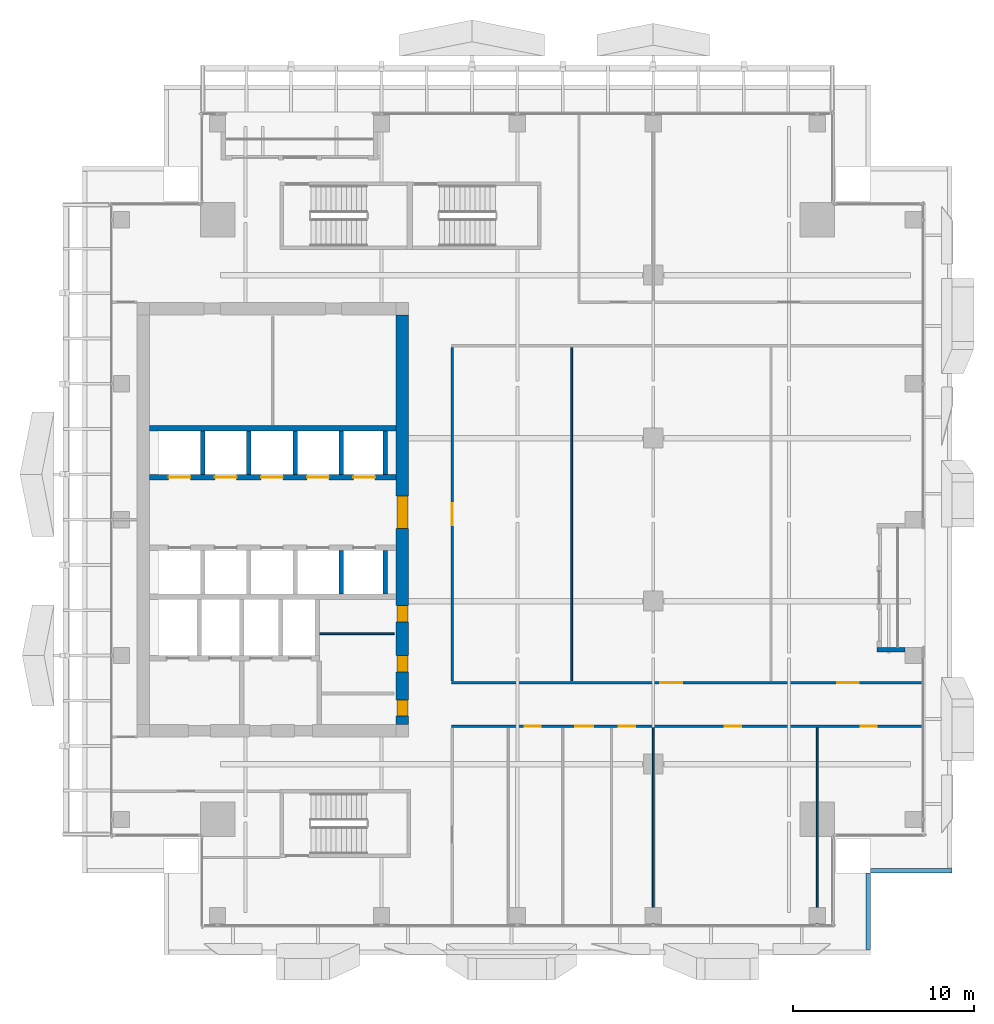
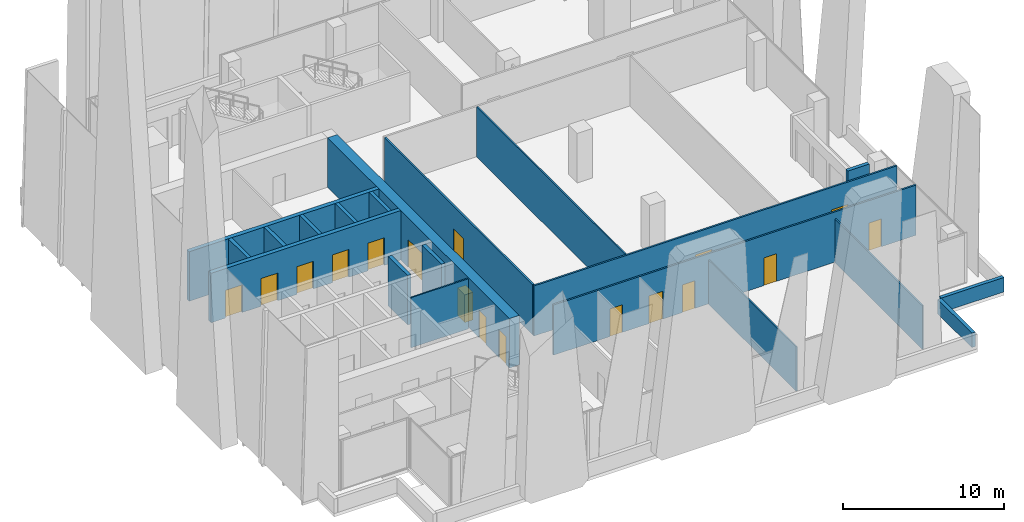
# One storey, part 27 of 33: 20 walls, 17 doors, 17 openings.
"""IFC4 building model written with IfcOpenShell, lengths in metres."""

import ifcopenshell
import ifcopenshell.guid

model = None  # the IFC model being written
_history = None  # IfcOwnerHistory: only IFC2X3 demands one
_inside = {}  # id of a spatial element -> (the spatial element, [elements in it])
_under = {}  # id of a project, library or spatial element -> (it, [spatial elements below it])
_declared = {}  # id of a project -> (the project, [libraries it declares])
_typed = {}  # id of a type object -> (the type object, [elements of that type])
_made_of = {}  # id of a material, layer set ... -> (it, [elements and type objects made of it])


def new_model(schema):
    """Start an empty IFC model of exactly this schema.

    Asked for "IFC4X3", IfcOpenShell would pick the latest addendum, in which some entities
    have other attributes; the version numbers below select the first issue.
    IFC2X3 requires an IfcOwnerHistory on every rooted entity: one is made here for all.
    """
    global model, _history
    if schema == "IFC4X3":
        model = ifcopenshell.file(schema_version=(4, 3, 0, 0))
    else:
        model = ifcopenshell.file(schema=schema)
    _inside.clear()
    _under.clear()
    _declared.clear()
    _typed.clear()
    _made_of.clear()
    _history = None
    if model.schema == "IFC2X3":
        org = make("IfcOrganization", Name="unknown")
        user = make(
            "IfcPersonAndOrganization",
            ThePerson=make("IfcPerson", FamilyName="unknown"),
            TheOrganization=org,
        )
        app = make(
            "IfcApplication",
            ApplicationDeveloper=org,
            Version="unknown",
            ApplicationFullName="unknown",
            ApplicationIdentifier="unknown",
        )
        _history = make(
            "IfcOwnerHistory",
            OwningUser=user,
            OwningApplication=app,
            ChangeAction="ADDED",
            CreationDate=0,
        )
    return model


def make(cls, **values):
    """One entity of the class cls with the attributes given. An attribute that is None is left unset."""
    return model.create_entity(
        cls, **{name: value for name, value in values.items() if value is not None}
    )


def rooted(cls, **values):
    """An entity with a GlobalId (a new one), such as an element, a storey or a relation."""
    return make(cls, GlobalId=ifcopenshell.guid.new(), OwnerHistory=_history, **values)


def si_unit(unit_type, name, prefix=None):
    """IfcSIUnit, for example si_unit("LENGTHUNIT", "METRE", prefix="MILLI")."""
    return make("IfcSIUnit", UnitType=unit_type, Prefix=prefix, Name=name)


def assignment(units):
    """IfcUnitAssignment: the units of a project."""
    return None if units is None else make("IfcUnitAssignment", Units=units)


def point(xyz):
    """IfcCartesianPoint."""
    return None if xyz is None else make("IfcCartesianPoint", Coordinates=xyz)


def direction(xyz):
    """IfcDirection."""
    return None if xyz is None else make("IfcDirection", DirectionRatios=xyz)


def frame(location, z_axis=None, x_axis=None):
    """IfcAxis2Placement3D, a coordinate frame: its origin and axes. An axis left out is left unset."""
    return make(
        "IfcAxis2Placement3D",
        Location=point(location),
        Axis=direction(z_axis),
        RefDirection=direction(x_axis),
    )


def frame_2d(location, x_axis=None):
    """IfcAxis2Placement2D, a coordinate frame in the plane: its origin and x axis."""
    return make(
        "IfcAxis2Placement2D", Location=point(location), RefDirection=direction(x_axis)
    )


def origin():
    """The frame at (0, 0, 0) with its axes left unset."""
    return frame((0.0, 0.0, 0.0))


def place(relative_to, where):
    """IfcLocalPlacement: puts the frame where relative to a parent placement (None: the world)."""
    return make(
        "IfcLocalPlacement", PlacementRelTo=relative_to, RelativePlacement=where
    )


def context(
    kind, dimensions, precision=None, world=None, true_north=None, identifier=None
):
    """IfcGeometricRepresentationContext, for example the 3D "Model" context."""
    return make(
        "IfcGeometricRepresentationContext",
        ContextIdentifier=identifier,
        ContextType=kind,
        CoordinateSpaceDimension=dimensions,
        Precision=precision,
        WorldCoordinateSystem=world,
        TrueNorth=true_north,
    )


def subcontext(parent, identifier, kind, view, scale=None):
    """IfcGeometricRepresentationSubContext, for example "Body" below "Model"."""
    return make(
        "IfcGeometricRepresentationSubContext",
        ContextIdentifier=identifier,
        ContextType=kind,
        ParentContext=parent,
        TargetScale=scale,
        TargetView=view,
    )


def project(units=None, contexts=None):
    """IfcProject with its units and contexts."""
    return rooted(
        "IfcProject",
        Name="project",
        RepresentationContexts=contexts,
        UnitsInContext=assignment(units),
    )


def spatial(cls, under=None, at=None, **own):
    """A site, building, storey or space (cls), placed at a placement, below another one or the project."""
    s = rooted(cls, ObjectPlacement=at, **own)
    if under is not None:
        _under.setdefault(under.id(), (under, []))[1].append(s)
    return s


def profile(cls, at=None, kind="AREA", **sizes):
    """A parametric profile (cls). Its sizes go by their IFC names, for example OverallWidth=200.0."""
    return make(cls, ProfileType=kind, Position=at, **sizes)


def rectangle(**sizes):
    """IfcRectangleProfileDef."""
    return profile("IfcRectangleProfileDef", **sizes)


def extrude(swept, where, along, depth):
    """IfcExtrudedAreaSolid: the profile swept, set in the frame where, extruded along a direction by depth."""
    return make(
        "IfcExtrudedAreaSolid",
        SweptArea=swept,
        Position=where,
        ExtrudedDirection=direction(along),
        Depth=depth,
    )


def shape(context_of_items, identifier, shape_type, items):
    """IfcShapeRepresentation: the items that make up one representation, for example the "Body"."""
    return make(
        "IfcShapeRepresentation",
        ContextOfItems=context_of_items,
        RepresentationIdentifier=identifier,
        RepresentationType=shape_type,
        Items=items,
    )


def source(mapping_origin, context_of_items, identifier, shape_type, items):
    """IfcRepresentationMap: a shape defined once, which mapped items show again and again."""
    return make(
        "IfcRepresentationMap",
        MappingOrigin=mapping_origin,
        MappedRepresentation=shape(context_of_items, identifier, shape_type, items),
    )


def transform(
    local_origin,
    x_axis=None,
    y_axis=None,
    z_axis=None,
    scale=None,
    scale2=None,
    scale3=None,
    uniform=True,
):
    """IfcCartesianTransformationOperator3D, or its non-uniform kind. x_axis, y_axis, z_axis: its Axis1, 2, 3."""
    if uniform:
        return make(
            "IfcCartesianTransformationOperator3D",
            Axis1=direction(x_axis),
            Axis2=direction(y_axis),
            LocalOrigin=point(local_origin),
            Scale=scale,
            Axis3=direction(z_axis),
        )
    return make(
        "IfcCartesianTransformationOperator3DnonUniform",
        Axis1=direction(x_axis),
        Axis2=direction(y_axis),
        LocalOrigin=point(local_origin),
        Scale=scale,
        Axis3=direction(z_axis),
        Scale2=scale2,
        Scale3=scale3,
    )


def mapped(mapping_source, mapping_target):
    """IfcMappedItem: shows the shape of a source again, moved by a transform."""
    return make(
        "IfcMappedItem", MappingSource=mapping_source, MappingTarget=mapping_target
    )


def material(Name=None, Category=None):
    """IfcMaterial."""
    return make("IfcMaterial", Name=Name, Category=Category)


def layer(
    of_material, thickness, ventilated=None, Name=None, Category=None, Priority=None
):
    """IfcMaterialLayer: one layer of a wall or slab, of a material (None: an air gap)."""
    return make(
        "IfcMaterialLayer",
        Material=of_material,
        LayerThickness=thickness,
        IsVentilated=ventilated,
        Name=Name,
        Category=Category,
        Priority=Priority,
    )


def layer_set(layers, Name=None):
    """IfcMaterialLayerSet."""
    return make("IfcMaterialLayerSet", MaterialLayers=layers, LayerSetName=Name)


def made_of(thing, what):
    """Note that an element or type object is made of a material, layer set ...; save() writes the relation."""
    if what is not None:
        _made_of.setdefault(what.id(), (what, []))[1].append(thing)
    return thing


def type_object(cls, material=None, **own):
    """A type object (cls), such as IfcWallType, which elements share."""
    return made_of(rooted(cls, **own), material)


def element(
    cls,
    number,
    at=None,
    inside=None,
    cuts=None,
    type_object=None,
    material=None,
    context=None,
    identifier="Body",
    shape_type=None,
    held_by="IfcProductDefinitionShape",
    body=None,
    shapes=None,
    **own,
):
    """One element of the class cls, such as IfcWall. Its Tag is "e" and its number.

    at: its placement. inside: the storey or other place that contains it. cuts: it is an
    opening in that element (IfcRelVoidsElement). A single representation is given by context,
    identifier, shape_type and body (its items); several are given by shapes. held_by: the class
    of the entity that holds the representations. save() writes the other relations.
    """
    e = rooted(cls, Tag="e%d" % number, ObjectPlacement=at, **own)
    if body is not None:
        shapes = [shape(context, identifier, shape_type, body)]
    if shapes is not None:
        e.Representation = make(held_by, Representations=shapes)
    if inside is not None:
        _inside.setdefault(inside.id(), (inside, []))[1].append(e)
    if cuts is not None:
        rooted(
            "IfcRelVoidsElement", RelatingBuildingElement=cuts, RelatedOpeningElement=e
        )
    if type_object is not None:
        _typed.setdefault(type_object.id(), (type_object, []))[1].append(e)
    return made_of(e, material)


def fill(opening, filler):
    """IfcRelFillsElement: the door or window that sits in an opening."""
    return rooted(
        "IfcRelFillsElement",
        RelatingOpeningElement=opening,
        RelatedBuildingElement=filler,
    )


def aggregate(whole, parts):
    """IfcRelAggregates: a whole, such as a stair, and the parts it consists of."""
    return rooted("IfcRelAggregates", RelatingObject=whole, RelatedObjects=parts)


def save(model, path):
    """Write the relations noted so far, then the file.

    IfcRelAggregates (storeys below a building ...), IfcRelContainedInSpatialStructure (elements
    in a storey), IfcRelDefinesByType, IfcRelAssociatesMaterial and IfcRelDeclares: one each for
    every whole, place, type object, material and project.
    """
    for whole, parts in _under.values():
        aggregate(whole, parts)
    for where, things in _inside.values():
        rooted(
            "IfcRelContainedInSpatialStructure",
            RelatedElements=things,
            RelatingStructure=where,
        )
    for kind, things in _typed.values():
        rooted("IfcRelDefinesByType", RelatedObjects=things, RelatingType=kind)
    for what, things in _made_of.values():
        rooted("IfcRelAssociatesMaterial", RelatedObjects=things, RelatingMaterial=what)
    for by, libraries in _declared.values():
        rooted("IfcRelDeclares", RelatingContext=by, RelatedDefinitions=libraries)
    model.write(path)


model = new_model("IFC4")

# Units and contexts
model_context = context("Model", 3, precision=1e-05, world=origin(), true_north=direction((0.0, 1.0)))
body_context = subcontext(model_context, "Body", "Model", "MODEL_VIEW")
ifc_project = project(units=[si_unit("LENGTHUNIT", "METRE"), si_unit("AREAUNIT", "SQUARE_METRE"), si_unit("VOLUMEUNIT", "CUBIC_METRE"), si_unit("PLANEANGLEUNIT", "RADIAN"), si_unit("MASSUNIT", "GRAM", prefix="KILO")], contexts=[model_context])

# Site, building, storey
site_placement = place(None, origin())
site = spatial("IfcSite", under=ifc_project, at=site_placement, CompositionType="ELEMENT")
building_placement = place(site_placement, origin())
building = spatial("IfcBuilding", under=site, at=building_placement, Name="Khomas Fold Tower", CompositionType="ELEMENT")
storey_placement = place(building_placement, frame((0.0, 0.0, 222.199951171875)))
storey = spatial("IfcBuildingStorey", under=building, at=storey_placement, Name="L49", CompositionType="ELEMENT", Elevation=222.199951171875)

# Walls
ifc_material_1 = material(Name="Concrete C50/60", Category="concrete")
ifc_layer_1 = layer(ifc_material_1, 0.25)
ifc_layer_set_1 = layer_set([ifc_layer_1], Name="Concrete C50/60")
wall_type_1 = type_object("IfcWallType", Name="Shaft wall 250", PredefinedType="STANDARD", material=ifc_layer_set_1)
shared_shape_1 = source(origin(), body_context, "Body", "SweptSolid", [
    extrude(rectangle(XDim=2.39990234375, YDim=0.25, at=frame_2d((1.199951171875, 0.0))), origin(), (0.0, 0.0, 1.0), 3.75),
])
for number, where, z_axis, x_axis, name in (
    (1, (17.27490234375, 29.5, 0.0), (0.0, 0.0, 1.0), (0.0, 1.0, 0.0), "Core wall SW-HRN-MR-P1"),
    (2, (19.699951171875, 29.5, 0.0), (0.0, 0.0, 1.0), (0.0, 1.0, 0.0), "Core wall SW-HRN-MR-PE"),
    (3, (9.625, 29.5, 0.0), (0.0, 0.0, 1.0), (0.0, 1.0, 0.0), "Core wall SW-HRN-P1"),
    (4, (12.175048828125, 29.5, 0.0), (0.0, 0.0, 1.0), (0.0, 1.0, 0.0), "Core wall SW-HRN-P2"),
    (5, (14.72509765625, 29.5, 0.0), (0.0, 0.0, 1.0), (0.0, 1.0, 0.0), "Core wall SW-HRN-PE"),
):
    element("IfcWall", number, at=place(storey_placement, frame(where, z_axis=z_axis, x_axis=x_axis)), inside=storey, type_object=wall_type_1, Name=name, PredefinedType="STANDARD", context=body_context, shape_type="MappedRepresentation", body=[
        mapped(shared_shape_1, transform((0.0, 0.0, 0.0))),
    ])
shared_shape_2 = source(origin(), body_context, "Body", "SweptSolid", [
    extrude(rectangle(XDim=2.400146484375, YDim=0.25, at=frame_2d((1.2001953125, 0.0))), origin(), (0.0, 0.0, 1.0), 3.75),
])
for number, where, z_axis, x_axis, name in (
    (6, (17.27490234375, 22.89990234375, 0.0), (0.0, 0.0, 1.0), (0.0, 1.0, 0.0), "Core wall SW-HRS-MR-P1"),
    (7, (19.699951171875, 22.89990234375, 0.0), (0.0, 0.0, 1.0), (0.0, 1.0, 0.0), "Core wall SW-HRS-MR-PE"),
):
    element("IfcWall", number, at=place(storey_placement, frame(where, z_axis=z_axis, x_axis=x_axis)), inside=storey, type_object=wall_type_1, Name=name, PredefinedType="STANDARD", context=body_context, shape_type="MappedRepresentation", body=[
        mapped(shared_shape_2, transform((0.0, 0.0, 0.0))),
    ])

# Wall, openings, doors
ifc_material_2 = material(Name="Concrete C60/75", Category="concrete")
ifc_layer_2 = layer(ifc_material_2, 0.699951171875)
ifc_layer_set_2 = layer_set([ifc_layer_2], Name="Concrete C60/75")
wall_type_2 = type_object("IfcWallType", Name="Core wall 700", PredefinedType="SHEAR", material=ifc_layer_set_2)
shared_shape_3 = source(origin(), body_context, "Body", "SweptSolid", [
    extrude(rectangle(XDim=22.60009765625, YDim=0.699951171875, at=frame_2d((11.300048828125, 0.0))), origin(), (0.0, 0.0, 1.0), 3.75),
])
wall_1_placement = place(storey_placement, frame((20.64990234375, 15.699951171875, 0.0), z_axis=(0.0, 0.0, 1.0), x_axis=(0.0, 1.0, 0.0)))
wall_1 = element("IfcWall", 8, at=wall_1_placement, inside=storey, type_object=wall_type_2, Name="Core wall CW-U-E-L49", PredefinedType="SHEAR", context=body_context, shape_type="MappedRepresentation", body=[
    mapped(shared_shape_3, transform((0.0, 0.0, 0.0))),
])
shared_shape_4 = source(origin(), body_context, "Body", "SweptSolid", [
    extrude(rectangle(XDim=1.800048828125, YDim=2.10009765625, at=frame_2d((0.89990234375, 1.050048828125))), frame((0.0, 0.35986328125, 0.0), z_axis=(0.0, -1.0, 0.0), x_axis=(1.0, 0.0, 0.0)), (0.0, 0.0, 1.0), 0.719970703125),
])
opening_1_placement = place(wall_1_placement, frame((10.800048828125, 0.0, 0.0)))
opening_1 = element("IfcOpeningElement", 9, at=opening_1_placement, cuts=wall_1, Name="Opening 0015", PredefinedType="OPENING", context=body_context, shape_type="MappedRepresentation", body=[
    mapped(shared_shape_4, transform((0.0, 0.0, 0.0))),
])
shared_shape_5 = source(origin(), body_context, "Body", "SweptSolid", [
    extrude(rectangle(XDim=0.89990234375, YDim=2.10009765625, at=frame_2d((0.449951171875, 1.050048828125))), frame((0.0, 0.35986328125, 0.0), z_axis=(0.0, -1.0, 0.0), x_axis=(1.0, 0.0, 0.0)), (0.0, 0.0, 1.0), 0.719970703125),
])
opening_2_placement = place(wall_1_placement, frame((0.449951171875, 0.0, 0.0)))
opening_2 = element("IfcOpeningElement", 10, at=opening_2_placement, cuts=wall_1, Name="Opening 0003", PredefinedType="OPENING", context=body_context, shape_type="MappedRepresentation", body=[
    mapped(shared_shape_5, transform((0.0, 0.0, 0.0))),
])
opening_3_placement = place(wall_1_placement, frame((2.89990234375, 0.0, 0.0)))
opening_3 = element("IfcOpeningElement", 11, at=opening_3_placement, cuts=wall_1, Name="Opening 0008", PredefinedType="OPENING", context=body_context, shape_type="MappedRepresentation", body=[
    mapped(shared_shape_5, transform((0.0, 0.0, 0.0))),
])
opening_4_placement = place(wall_1_placement, frame((5.64990234375, 0.0, 0.0)))
opening_4 = element("IfcOpeningElement", 12, at=opening_4_placement, cuts=wall_1, Name="Opening 0008", PredefinedType="OPENING", context=body_context, shape_type="MappedRepresentation", body=[
    mapped(shared_shape_5, transform((0.0, 0.0, 0.0))),
])
ifc_material_3 = material(Name="Steel door leaf", Category="steel")
door_type_1 = type_object("IfcDoorType", Name="Lobby door 1800x2100", OperationType="DOUBLE_DOOR_SINGLE_SWING", PredefinedType="DOOR", material=ifc_material_3)
shared_shape_6 = source(origin(), body_context, "Body", "SweptSolid", [
    extrude(rectangle(XDim=1.800048828125, YDim=2.10009765625, at=frame_2d((0.89990234375, 1.050048828125))), frame((0.0, 0.2998046875, 0.0), z_axis=(0.0, -1.0, 0.0), x_axis=(1.0, 0.0, 0.0)), (0.0, 0.0, 1.0), 0.599853515625),
])
door_1_placement = place(opening_1_placement, origin())
door_1 = element("IfcDoor", 13, at=door_1_placement, inside=storey, type_object=door_type_1, Name="Lobby door", OperationType="DOUBLE_DOOR_SINGLE_SWING", OverallHeight=2.10009765625, OverallWidth=1.800048828125, PredefinedType="DOOR", context=body_context, shape_type="MappedRepresentation", body=[
    mapped(shared_shape_6, transform((0.0, 0.0, 0.0))),
])
fill(opening_1, door_1)
ifc_material_4 = material(Name="Steel door leaf", Category="steel")
door_type_2 = type_object("IfcDoorType", Name="Plant room door 900x2100 right-hand", OperationType="SINGLE_SWING_RIGHT", PredefinedType="DOOR", material=ifc_material_4)
shared_shape_7 = source(origin(), body_context, "Body", "SweptSolid", [
    extrude(rectangle(XDim=0.89990234375, YDim=2.10009765625, at=frame_2d((0.449951171875, 1.050048828125))), frame((0.0, 0.2998046875, 0.0), z_axis=(0.0, -1.0, 0.0), x_axis=(1.0, 0.0, 0.0)), (0.0, 0.0, 1.0), 0.599853515625),
])
door_2_placement = place(opening_2_placement, origin())
door_2 = element("IfcDoor", 14, at=door_2_placement, inside=storey, type_object=door_type_2, Name="Plant room door", OperationType="SINGLE_SWING_RIGHT", OverallHeight=2.10009765625, OverallWidth=0.89990234375, PredefinedType="DOOR", context=body_context, shape_type="MappedRepresentation", body=[
    mapped(shared_shape_7, transform((0.0, 0.0, 0.0))),
])
fill(opening_2, door_2)
ifc_material_5 = material(Name="Timber door leaf", Category="wood")
door_type_3 = type_object("IfcDoorType", Name="Door 900x2100 right-hand", OperationType="SINGLE_SWING_RIGHT", PredefinedType="DOOR", material=ifc_material_5)
door_3_placement = place(opening_3_placement, origin())
door_3 = element("IfcDoor", 15, at=door_3_placement, inside=storey, type_object=door_type_3, Name="Door", OperationType="SINGLE_SWING_RIGHT", OverallHeight=2.10009765625, OverallWidth=0.89990234375, PredefinedType="DOOR", context=body_context, shape_type="MappedRepresentation", body=[
    mapped(shared_shape_7, transform((0.0, 0.0, 0.0))),
])
fill(opening_3, door_3)
door_4_placement = place(opening_4_placement, origin())
door_4 = element("IfcDoor", 16, at=door_4_placement, inside=storey, type_object=door_type_3, Name="Door", OperationType="SINGLE_SWING_RIGHT", OverallHeight=2.10009765625, OverallWidth=0.89990234375, PredefinedType="DOOR", context=body_context, shape_type="MappedRepresentation", body=[
    mapped(shared_shape_7, transform((0.0, 0.0, 0.0))),
])
fill(opening_4, door_4)

# Wall
ifc_material_6 = material(Name="Concrete C50/60", Category="concrete")
ifc_layer_3 = layer(ifc_material_6, 0.300048828125)
ifc_layer_set_3 = layer_set([ifc_layer_3], Name="Concrete C50/60")
wall_type_3 = type_object("IfcWallType", Name="Shaft wall 300", PredefinedType="STANDARD", material=ifc_layer_set_3)
shared_shape_8 = source(origin(), body_context, "Body", "SweptSolid", [
    extrude(rectangle(XDim=13.60009765625, YDim=0.300048828125, at=frame_2d((6.800048828125, 0.0))), origin(), (0.0, 0.0, 1.0), 3.75),
])
wall_2_placement = place(storey_placement, frame((6.699951171875, 32.050048828125, 0.0), z_axis=(0.0, 0.0, 1.0), x_axis=(1.0, 0.0, 0.0)))
element("IfcWall", 17, at=wall_2_placement, inside=storey, type_object=wall_type_3, Name="Core wall SW-HRN-B", PredefinedType="STANDARD", context=body_context, shape_type="MappedRepresentation", body=[
    mapped(shared_shape_8, transform((0.0, 0.0, 0.0))),
])

# Wall, openings, doors
wall_3_placement = place(storey_placement, frame((6.699951171875, 29.35009765625, 0.0), z_axis=(0.0, 0.0, 1.0), x_axis=(1.0, 0.0, 0.0)))
wall_3 = element("IfcWall", 18, at=wall_3_placement, inside=storey, type_object=wall_type_3, Name="Core wall SW-HRN-F", PredefinedType="STANDARD", context=body_context, shape_type="MappedRepresentation", body=[
    mapped(shared_shape_8, transform((0.0, 0.0, 0.0))),
])
shared_shape_9 = source(origin(), body_context, "Body", "SweptSolid", [
    extrude(rectangle(XDim=1.199951171875, YDim=2.10009765625, at=frame_2d((0.60009765625, 1.050048828125))), frame((0.0, 0.159912109375, 0.0), z_axis=(0.0, -1.0, 0.0), x_axis=(1.0, 0.0, 0.0)), (0.0, 0.0, 1.0), 0.320068359375),
])
opening_5_placement = place(wall_3_placement, frame((1.050048828125, 0.0, 0.0)))
opening_5 = element("IfcOpeningElement", 19, at=opening_5_placement, cuts=wall_3, Name="Opening LD-HR4", PredefinedType="OPENING", context=body_context, shape_type="MappedRepresentation", body=[
    mapped(shared_shape_9, transform((0.0, 0.0, 0.0))),
])
opening_6_placement = place(wall_3_placement, frame((3.60009765625, 0.0, 0.0)))
opening_6 = element("IfcOpeningElement", 20, at=opening_6_placement, cuts=wall_3, Name="Opening LD-HR5", PredefinedType="OPENING", context=body_context, shape_type="MappedRepresentation", body=[
    mapped(shared_shape_9, transform((0.0, 0.0, 0.0))),
])
opening_7_placement = place(wall_3_placement, frame((6.14990234375, 0.0, 0.0)))
opening_7 = element("IfcOpeningElement", 21, at=opening_7_placement, cuts=wall_3, Name="Opening LD-HR6", PredefinedType="OPENING", context=body_context, shape_type="MappedRepresentation", body=[
    mapped(shared_shape_9, transform((0.0, 0.0, 0.0))),
])
opening_8_placement = place(wall_3_placement, frame((8.699951171875, 0.0, 0.0)))
opening_8 = element("IfcOpeningElement", 22, at=opening_8_placement, cuts=wall_3, Name="Opening LD-MR3", PredefinedType="OPENING", context=body_context, shape_type="MappedRepresentation", body=[
    mapped(shared_shape_9, transform((0.0, 0.0, 0.0))),
])
opening_9_placement = place(wall_3_placement, frame((11.25, 0.0, 0.0)))
opening_9 = element("IfcOpeningElement", 23, at=opening_9_placement, cuts=wall_3, Name="Opening LD-MR4", PredefinedType="OPENING", context=body_context, shape_type="MappedRepresentation", body=[
    mapped(shared_shape_9, transform((0.0, 0.0, 0.0))),
])
ifc_material_7 = material(Name="Steel door leaf", Category="steel")
door_type_4 = type_object("IfcDoorType", Name="Landing door 1200x2100", OperationType="DOUBLE_DOOR_SLIDING", PredefinedType="DOOR", material=ifc_material_7)
shared_shape_10 = source(origin(), body_context, "Body", "SweptSolid", [
    extrude(rectangle(XDim=1.199951171875, YDim=2.10009765625, at=frame_2d((0.60009765625, 1.050048828125))), frame((0.0, 0.02490234375, 0.0), z_axis=(0.0, -1.0, 0.0), x_axis=(1.0, 0.0, 0.0)), (0.0, 0.0, 1.0), 0.050048828125),
])
door_5_placement = place(opening_5_placement, origin())
door_5 = element("IfcDoor", 24, at=door_5_placement, inside=storey, type_object=door_type_4, Name="Lift landing door", OperationType="DOUBLE_DOOR_SLIDING", OverallHeight=2.10009765625, OverallWidth=1.199951171875, PredefinedType="DOOR", context=body_context, shape_type="MappedRepresentation", body=[
    mapped(shared_shape_10, transform((0.0, 0.0, 0.0))),
])
fill(opening_5, door_5)
door_6_placement = place(opening_6_placement, origin())
door_6 = element("IfcDoor", 25, at=door_6_placement, inside=storey, type_object=door_type_4, Name="Lift landing door", OperationType="DOUBLE_DOOR_SLIDING", OverallHeight=2.10009765625, OverallWidth=1.199951171875, PredefinedType="DOOR", context=body_context, shape_type="MappedRepresentation", body=[
    mapped(shared_shape_10, transform((0.0, 0.0, 0.0))),
])
fill(opening_6, door_6)
door_7_placement = place(opening_7_placement, origin())
door_7 = element("IfcDoor", 26, at=door_7_placement, inside=storey, type_object=door_type_4, Name="Lift landing door", OperationType="DOUBLE_DOOR_SLIDING", OverallHeight=2.10009765625, OverallWidth=1.199951171875, PredefinedType="DOOR", context=body_context, shape_type="MappedRepresentation", body=[
    mapped(shared_shape_10, transform((0.0, 0.0, 0.0))),
])
fill(opening_7, door_7)
door_8_placement = place(opening_8_placement, origin())
door_8 = element("IfcDoor", 27, at=door_8_placement, inside=storey, type_object=door_type_4, Name="Lift landing door", OperationType="DOUBLE_DOOR_SLIDING", OverallHeight=2.10009765625, OverallWidth=1.199951171875, PredefinedType="DOOR", context=body_context, shape_type="MappedRepresentation", body=[
    mapped(shared_shape_10, transform((0.0, 0.0, 0.0))),
])
fill(opening_8, door_8)
door_9_placement = place(opening_9_placement, origin())
door_9 = element("IfcDoor", 28, at=door_9_placement, inside=storey, type_object=door_type_4, Name="Lift landing door", OperationType="DOUBLE_DOOR_SLIDING", OverallHeight=2.10009765625, OverallWidth=1.199951171875, PredefinedType="DOOR", context=body_context, shape_type="MappedRepresentation", body=[
    mapped(shared_shape_10, transform((0.0, 0.0, 0.0))),
])
fill(opening_9, door_9)

# Walls
ifc_material_8 = material(Name="Natural stone", Category="masonry")
ifc_layer_4 = layer(ifc_material_8, 0.0400390625)
ifc_material_9 = material(Name="Mineral wool insulation", Category="insulation")
ifc_layer_5 = layer(ifc_material_9, 0.10009765625)
ifc_material_10 = material(Name="Masonry", Category="masonry")
ifc_layer_6 = layer(ifc_material_10, 0.110107421875)
ifc_layer_set_4 = layer_set([ifc_layer_4, ifc_layer_5, ifc_layer_6], Name="Stone-faced insulated masonry")
wall_type_4 = type_object("IfcWallType", Name="BL-Balcony wall", PredefinedType="SOLIDWALL", material=ifc_layer_set_4)
shared_shape_11 = source(origin(), body_context, "Body", "SweptSolid", [
    extrude(rectangle(XDim=1.5498046875, YDim=0.25, at=frame_2d((0.77490234375, 0.0))), origin(), (0.0, 0.0, 1.0), 3.199951171875),
])
wall_4_placement = place(storey_placement, frame((48.39990234375, 19.824951171875, 0.0), z_axis=(0.0, 0.0, 1.0), x_axis=(-1.0, 0.0, 0.0)))
element("IfcWall", 29, at=wall_4_placement, inside=storey, type_object=wall_type_4, Name="Balcony return wall BAL-L49-E2-lo", PredefinedType="SOLIDWALL", context=body_context, shape_type="MappedRepresentation", body=[
    mapped(shared_shape_11, transform((0.0, 0.0, 0.0))),
])
ifc_material_11 = material(Name="Concrete C40/50", Category="concrete")
ifc_layer_7 = layer(ifc_material_11, 0.25)
ifc_layer_set_5 = layer_set([ifc_layer_7], Name="Concrete C40/50")
wall_type_5 = type_object("IfcWallType", Name="Setback roof parapet 250", PredefinedType="PARAPET", material=ifc_layer_set_5)
shared_shape_12 = source(origin(), body_context, "Body", "SweptSolid", [
    extrude(rectangle(XDim=4.5, YDim=0.25, at=frame_2d((2.25, 0.0))), origin(), (0.0, 0.0, 1.0), 1.10009765625),
])
wall_5_placement = place(storey_placement, frame((46.5, 7.625, 0.0), z_axis=(0.0, 0.0, 1.0), x_axis=(1.0, 0.0, 0.0)))
element("IfcWall", 30, at=wall_5_placement, inside=storey, type_object=wall_type_5, Name="Setback roof parapet", PredefinedType="SOLIDWALL", context=body_context, shape_type="MappedRepresentation", body=[
    mapped(shared_shape_12, transform((0.0, 0.0, 0.0))),
])
shared_shape_13 = source(origin(), body_context, "Body", "SweptSolid", [
    extrude(rectangle(XDim=4.22998046875, YDim=0.25, at=frame_2d((2.114990234375, 0.0))), origin(), (0.0, 0.0, 1.0), 1.10009765625),
])
wall_6_placement = place(storey_placement, frame((46.375, 3.27001953125, 0.0), z_axis=(0.0, 0.0, 1.0), x_axis=(0.0, 1.0, 0.0)))
element("IfcWall", 31, at=wall_6_placement, inside=storey, type_object=wall_type_5, Name="Setback roof parapet", PredefinedType="SOLIDWALL", context=body_context, shape_type="MappedRepresentation", body=[
    mapped(shared_shape_13, transform((0.0, 0.0, 0.0))),
])
ifc_material_12 = material(Name="Plasterboard partition")
ifc_layer_8 = layer(ifc_material_12, 0.10009765625)
ifc_layer_set_6 = layer_set([ifc_layer_8], Name="Plasterboard partition")
wall_type_6 = type_object("IfcWallType", Name="Partition PW1 100", PredefinedType="PARTITIONING", material=ifc_layer_set_6)
shared_shape_14 = source(origin(), body_context, "Body", "SweptSolid", [
    extrude(rectangle(XDim=4.099853515625, YDim=0.10009765625, at=frame_2d((2.0498046875, 0.0))), origin(), (0.0, 0.0, 1.0), 3.800048828125),
])
wall_7_placement = place(storey_placement, frame((16.10009765625, 20.699951171875, 0.0), z_axis=(0.0, 0.0, 1.0), x_axis=(1.0, 0.0, 0.0)))
element("IfcWall", 32, at=wall_7_placement, inside=storey, type_object=wall_type_6, Name="Partition", PredefinedType="PARTITIONING", context=body_context, shape_type="MappedRepresentation", body=[
    mapped(shared_shape_14, transform((0.0, 0.0, 0.0))),
])
shared_shape_15 = source(origin(), body_context, "Body", "SweptSolid", [
    extrude(rectangle(XDim=10.85009765625, YDim=0.10009765625, at=frame_2d((5.425048828125, 0.0))), origin(), (0.0, 0.0, 1.0), 3.35009765625),
])
wall_8_placement = place(storey_placement, frame((34.5, 4.64990234375, 0.0), z_axis=(0.0, 0.0, 1.0), x_axis=(0.0, 1.0, 0.0)))
element("IfcWall", 33, at=wall_8_placement, inside=storey, type_object=wall_type_6, Name="Partition", PredefinedType="PARTITIONING", context=body_context, shape_type="MappedRepresentation", body=[
    mapped(shared_shape_15, transform((0.0, 0.0, 0.0))),
])
shared_shape_16 = source(origin(), body_context, "Body", "SweptSolid", [
    extrude(rectangle(XDim=10.85009765625, YDim=0.10009765625, at=frame_2d((5.425048828125, 0.0))), origin(), (0.0, 0.0, 1.0), 3.300048828125),
])
wall_9_placement = place(storey_placement, frame((43.550048828125, 4.64990234375, 0.0), z_axis=(0.0, 0.0, 1.0), x_axis=(0.0, 1.0, 0.0)))
element("IfcWall", 34, at=wall_9_placement, inside=storey, type_object=wall_type_6, Name="Partition", PredefinedType="PARTITIONING", context=body_context, shape_type="MappedRepresentation", body=[
    mapped(shared_shape_16, transform((0.0, 0.0, 0.0))),
])

# Wall, openings, doors
ifc_material_13 = material(Name="Plasterboard partition")
ifc_layer_9 = layer(ifc_material_13, 0.125)
ifc_layer_set_7 = layer_set([ifc_layer_9], Name="Plasterboard partition")
wall_type_7 = type_object("IfcWallType", Name="Partition PW2 125", PredefinedType="PARTITIONING", material=ifc_layer_set_7)
shared_shape_17 = source(origin(), body_context, "Body", "SweptSolid", [
    extrude(rectangle(XDim=26.0, YDim=0.125, at=frame_2d((13.0, 0.0))), origin(), (0.0, 0.0, 1.0), 3.800048828125),
])
wall_10_placement = place(storey_placement, frame((23.35009765625, 15.60009765625, 0.0), z_axis=(0.0, 0.0, 1.0), x_axis=(1.0, 0.0, 0.0)))
wall_10 = element("IfcWall", 35, at=wall_10_placement, inside=storey, type_object=wall_type_7, Name="Partition", PredefinedType="PARTITIONING", context=body_context, shape_type="MappedRepresentation", body=[
    mapped(shared_shape_17, transform((0.0, 0.0, 0.0))),
])
shared_shape_18 = source(origin(), body_context, "Body", "SweptSolid", [
    extrude(rectangle(XDim=0.89990234375, YDim=2.10009765625, at=frame_2d((0.449951171875, 1.050048828125))), frame((0.0, 0.072509765625, 0.0), z_axis=(0.0, -1.0, 0.0), x_axis=(1.0, 0.0, 0.0)), (0.0, 0.0, 1.0), 0.14501953125),
])
opening_10_placement = place(wall_10_placement, frame((4.050048828125, 0.0, 0.0)))
opening_10 = element("IfcOpeningElement", 36, at=opening_10_placement, cuts=wall_10, Name="Opening 0005", PredefinedType="OPENING", context=body_context, shape_type="MappedRepresentation", body=[
    mapped(shared_shape_18, transform((0.0, 0.0, 0.0))),
])
shared_shape_19 = source(origin(), body_context, "Body", "SweptSolid", [
    extrude(rectangle(XDim=1.0, YDim=2.10009765625, at=frame_2d((0.5, 1.050048828125))), frame((0.0, 0.072509765625, 0.0), z_axis=(0.0, -1.0, 0.0), x_axis=(1.0, 0.0, 0.0)), (0.0, 0.0, 1.0), 0.14501953125),
])
opening_11_placement = place(wall_10_placement, frame((6.85009765625, 0.0, 0.0)))
opening_11 = element("IfcOpeningElement", 37, at=opening_11_placement, cuts=wall_10, Name="Opening 0014", PredefinedType="OPENING", context=body_context, shape_type="MappedRepresentation", body=[
    mapped(shared_shape_19, transform((0.0, 0.0, 0.0))),
])
opening_12_placement = place(wall_10_placement, frame((9.25, 0.0, 0.0)))
opening_12 = element("IfcOpeningElement", 38, at=opening_12_placement, cuts=wall_10, Name="Opening 0007", PredefinedType="OPENING", context=body_context, shape_type="MappedRepresentation", body=[
    mapped(shared_shape_18, transform((0.0, 0.0, 0.0))),
])
opening_13_placement = place(wall_10_placement, frame((15.10009765625, 0.0, 0.0)))
opening_13 = element("IfcOpeningElement", 39, at=opening_13_placement, cuts=wall_10, Name="Opening 0007", PredefinedType="OPENING", context=body_context, shape_type="MappedRepresentation", body=[
    mapped(shared_shape_18, transform((0.0, 0.0, 0.0))),
])
opening_14_placement = place(wall_10_placement, frame((22.60009765625, 0.0, 0.0)))
opening_14 = element("IfcOpeningElement", 40, at=opening_14_placement, cuts=wall_10, Name="Opening 0007", PredefinedType="OPENING", context=body_context, shape_type="MappedRepresentation", body=[
    mapped(shared_shape_18, transform((0.0, 0.0, 0.0))),
])
ifc_material_14 = material(Name="Timber door leaf", Category="wood")
door_type_5 = type_object("IfcDoorType", Name="WC door 900x2100 left-hand", OperationType="SINGLE_SWING_LEFT", PredefinedType="DOOR", material=ifc_material_14)
shared_shape_20 = source(origin(), body_context, "Body", "SweptSolid", [
    extrude(rectangle(XDim=0.89990234375, YDim=2.10009765625, at=frame_2d((0.449951171875, 1.050048828125))), frame((0.0, 0.02490234375, 0.0), z_axis=(0.0, -1.0, 0.0), x_axis=(1.0, 0.0, 0.0)), (0.0, 0.0, 1.0), 0.050048828125),
])
door_10_placement = place(opening_10_placement, origin())
door_10 = element("IfcDoor", 41, at=door_10_placement, inside=storey, type_object=door_type_5, Name="WC door", OperationType="SINGLE_SWING_LEFT", OverallHeight=2.10009765625, OverallWidth=0.89990234375, PredefinedType="DOOR", context=body_context, shape_type="MappedRepresentation", body=[
    mapped(shared_shape_20, transform((0.0, 0.0, 0.0))),
])
fill(opening_10, door_10)
ifc_material_15 = material(Name="Timber door leaf", Category="wood")
door_type_6 = type_object("IfcDoorType", Name="Door 900x2100 left-hand", OperationType="SINGLE_SWING_LEFT", PredefinedType="DOOR", material=ifc_material_15)
door_11_placement = place(opening_12_placement, origin())
door_11 = element("IfcDoor", 42, at=door_11_placement, inside=storey, type_object=door_type_6, Name="Door", OperationType="SINGLE_SWING_LEFT", OverallHeight=2.10009765625, OverallWidth=0.89990234375, PredefinedType="DOOR", context=body_context, shape_type="MappedRepresentation", body=[
    mapped(shared_shape_20, transform((0.0, 0.0, 0.0))),
])
fill(opening_12, door_11)
door_12_placement = place(opening_13_placement, origin())
door_12 = element("IfcDoor", 43, at=door_12_placement, inside=storey, type_object=door_type_6, Name="Door", OperationType="SINGLE_SWING_LEFT", OverallHeight=2.10009765625, OverallWidth=0.89990234375, PredefinedType="DOOR", context=body_context, shape_type="MappedRepresentation", body=[
    mapped(shared_shape_20, transform((0.0, 0.0, 0.0))),
])
fill(opening_13, door_12)
door_13_placement = place(opening_14_placement, origin())
door_13 = element("IfcDoor", 44, at=door_13_placement, inside=storey, type_object=door_type_6, Name="Door", OperationType="SINGLE_SWING_LEFT", OverallHeight=2.10009765625, OverallWidth=0.89990234375, PredefinedType="DOOR", context=body_context, shape_type="MappedRepresentation", body=[
    mapped(shared_shape_20, transform((0.0, 0.0, 0.0))),
])
fill(opening_14, door_13)
ifc_material_16 = material(Name="Timber door leaf", Category="wood")
door_type_7 = type_object("IfcDoorType", Name="WC door 1000x2100 left-hand", OperationType="SINGLE_SWING_LEFT", PredefinedType="DOOR", material=ifc_material_16)
shared_shape_21 = source(origin(), body_context, "Body", "SweptSolid", [
    extrude(rectangle(XDim=1.0, YDim=2.10009765625, at=frame_2d((0.5, 1.050048828125))), frame((0.0, 0.02490234375, 0.0), z_axis=(0.0, -1.0, 0.0), x_axis=(1.0, 0.0, 0.0)), (0.0, 0.0, 1.0), 0.050048828125),
])
door_14_placement = place(opening_11_placement, origin())
door_14 = element("IfcDoor", 45, at=door_14_placement, inside=storey, type_object=door_type_7, Name="WC door", OperationType="SINGLE_SWING_LEFT", OverallHeight=2.10009765625, OverallWidth=1.0, PredefinedType="DOOR", context=body_context, shape_type="MappedRepresentation", body=[
    mapped(shared_shape_21, transform((0.0, 0.0, 0.0))),
])
fill(opening_11, door_14)

wall_11_placement = place(storey_placement, frame((23.35009765625, 18.0, 0.0), z_axis=(0.0, 0.0, 1.0), x_axis=(1.0, 0.0, 0.0)))
wall_11 = element("IfcWall", 46, at=wall_11_placement, inside=storey, type_object=wall_type_7, Name="Partition", PredefinedType="PARTITIONING", context=body_context, shape_type="MappedRepresentation", body=[
    mapped(shared_shape_17, transform((0.0, 0.0, 0.0))),
])
shared_shape_22 = source(origin(), body_context, "Body", "SweptSolid", [
    extrude(rectangle(XDim=1.199951171875, YDim=2.10009765625, at=frame_2d((0.60009765625, 1.050048828125))), frame((0.0, 0.072509765625, 0.0), z_axis=(0.0, -1.0, 0.0), x_axis=(1.0, 0.0, 0.0)), (0.0, 0.0, 1.0), 0.14501953125),
])
opening_15_placement = place(wall_11_placement, frame((11.550048828125, 0.0, 0.0)))
opening_15 = element("IfcOpeningElement", 47, at=opening_15_placement, cuts=wall_11, Name="Opening 0001", PredefinedType="OPENING", context=body_context, shape_type="MappedRepresentation", body=[
    mapped(shared_shape_22, transform((0.0, 0.0, 0.0))),
])
opening_16_placement = place(wall_11_placement, frame((21.300048828125, 0.0, 0.0)))
opening_16 = element("IfcOpeningElement", 48, at=opening_16_placement, cuts=wall_11, Name="Opening 0013", PredefinedType="OPENING", context=body_context, shape_type="MappedRepresentation", body=[
    mapped(shared_shape_22, transform((0.0, 0.0, 0.0))),
])
ifc_material_17 = material(Name="Timber door leaf", Category="wood")
door_type_8 = type_object("IfcDoorType", Name="Door 1200x2100 right-hand", OperationType="SINGLE_SWING_RIGHT", PredefinedType="DOOR", material=ifc_material_17)
door_15_placement = place(opening_15_placement, origin())
door_15 = element("IfcDoor", 49, at=door_15_placement, inside=storey, type_object=door_type_8, Name="Door", OperationType="SINGLE_SWING_RIGHT", OverallHeight=2.10009765625, OverallWidth=1.199951171875, PredefinedType="DOOR", context=body_context, shape_type="MappedRepresentation", body=[
    mapped(shared_shape_10, transform((0.0, 0.0, 0.0))),
])
fill(opening_15, door_15)
ifc_material_18 = material(Name="Timber door leaf", Category="wood")
door_type_9 = type_object("IfcDoorType", Name="Door 1200x2100 left-hand", OperationType="SINGLE_SWING_LEFT", PredefinedType="DOOR", material=ifc_material_18)
door_16_placement = place(opening_16_placement, origin())
door_16 = element("IfcDoor", 50, at=door_16_placement, inside=storey, type_object=door_type_9, Name="Door", OperationType="SINGLE_SWING_LEFT", OverallHeight=2.10009765625, OverallWidth=1.199951171875, PredefinedType="DOOR", context=body_context, shape_type="MappedRepresentation", body=[
    mapped(shared_shape_10, transform((0.0, 0.0, 0.0))),
])
fill(opening_16, door_16)

# Wall, opening, door
shared_shape_23 = source(origin(), body_context, "Body", "SweptSolid", [
    extrude(rectangle(XDim=18.39990234375, YDim=0.125, at=frame_2d((9.199951171875, 0.0))), origin(), (0.0, 0.0, 1.0), 3.800048828125),
])
wall_12_placement = place(storey_placement, frame((23.39990234375, 18.10009765625, 0.0), z_axis=(0.0, 0.0, 1.0), x_axis=(0.0, 1.0, 0.0)))
wall_12 = element("IfcWall", 51, at=wall_12_placement, inside=storey, type_object=wall_type_7, Name="Partition", PredefinedType="PARTITIONING", context=body_context, shape_type="MappedRepresentation", body=[
    mapped(shared_shape_23, transform((0.0, 0.0, 0.0))),
])
opening_17_placement = place(wall_12_placement, frame((8.60009765625, 0.0, 0.0)))
opening_17 = element("IfcOpeningElement", 52, at=opening_17_placement, cuts=wall_12, Name="Opening 0001", PredefinedType="OPENING", context=body_context, shape_type="MappedRepresentation", body=[
    mapped(shared_shape_22, transform((0.0, 0.0, 0.0))),
])
door_17_placement = place(opening_17_placement, origin())
door_17 = element("IfcDoor", 53, at=door_17_placement, inside=storey, type_object=door_type_8, Name="Door", OperationType="SINGLE_SWING_RIGHT", OverallHeight=2.10009765625, OverallWidth=1.199951171875, PredefinedType="DOOR", context=body_context, shape_type="MappedRepresentation", body=[
    mapped(shared_shape_10, transform((0.0, 0.0, 0.0))),
])
fill(opening_17, door_17)

# Wall
shared_shape_24 = source(origin(), body_context, "Body", "SweptSolid", [
    extrude(rectangle(XDim=18.39990234375, YDim=0.10009765625, at=frame_2d((9.199951171875, 0.0))), origin(), (0.0, 0.0, 1.0), 3.800048828125),
])
wall_13_placement = place(storey_placement, frame((30.0, 18.10009765625, 0.0), z_axis=(0.0, 0.0, 1.0), x_axis=(0.0, 1.0, 0.0)))
element("IfcWall", 54, at=wall_13_placement, inside=storey, type_object=wall_type_6, Name="Partition", PredefinedType="PARTITIONING", context=body_context, shape_type="MappedRepresentation", body=[
    mapped(shared_shape_24, transform((0.0, 0.0, 0.0))),
])

save(model, "model.ifc")
